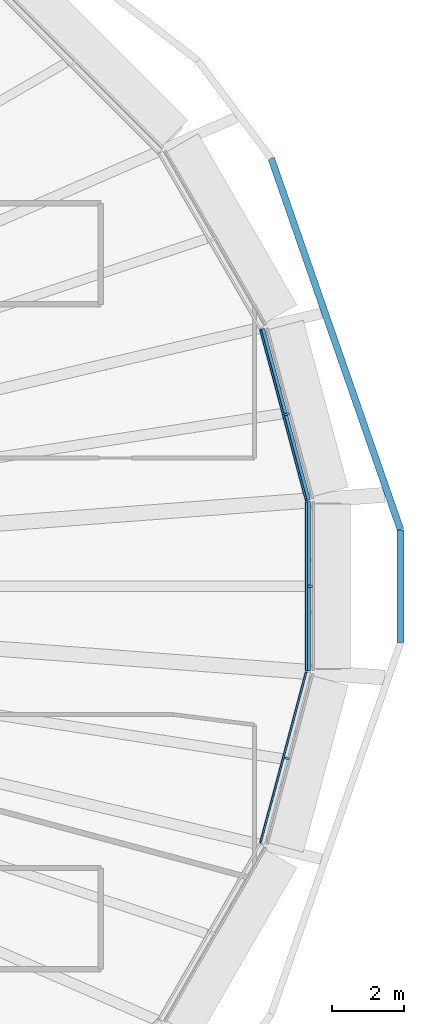
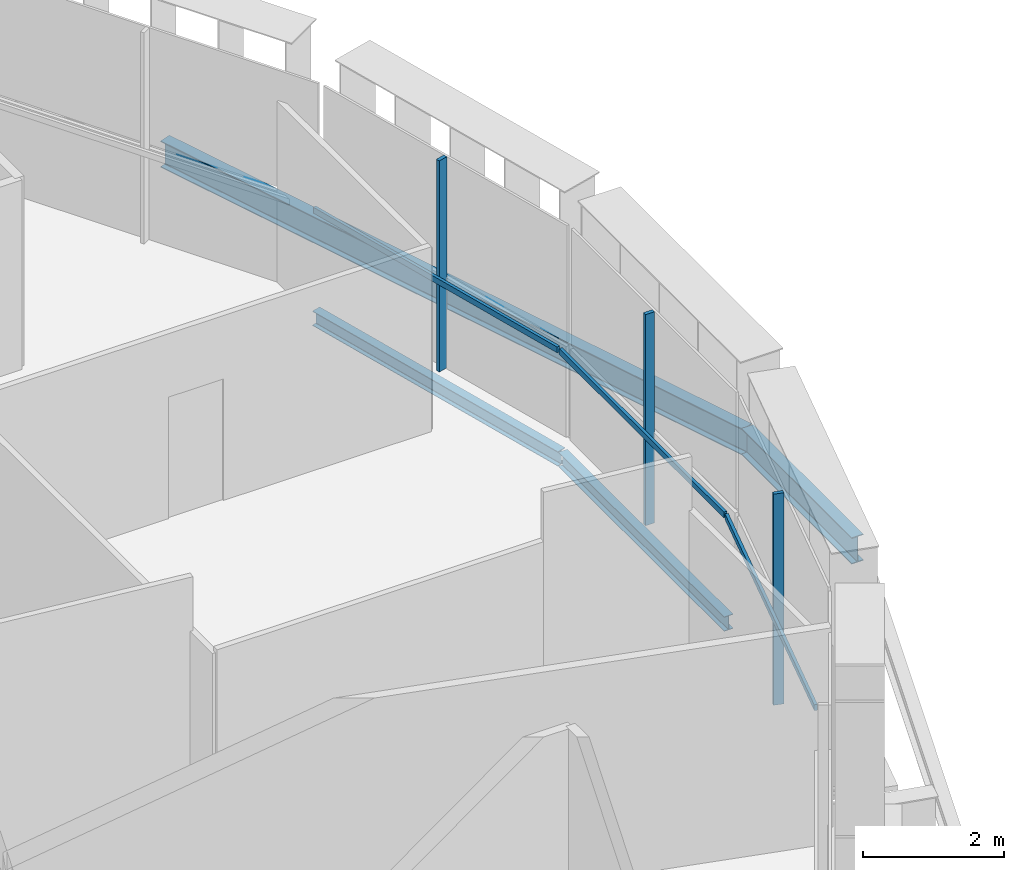
# One storey, part 11 of 24: 6 members, 4 beams, 3 elements without a shape of their own.
"""IFC4 building model written with IfcOpenShell, lengths in metres."""

import ifcopenshell
import ifcopenshell.guid

model = None  # the IFC model being written
_history = None  # IfcOwnerHistory: only IFC2X3 demands one
_inside = {}  # id of a spatial element -> (the spatial element, [elements in it])
_under = {}  # id of a project, library or spatial element -> (it, [spatial elements below it])
_declared = {}  # id of a project -> (the project, [libraries it declares])
_typed = {}  # id of a type object -> (the type object, [elements of that type])
_made_of = {}  # id of a material, layer set ... -> (it, [elements and type objects made of it])


def new_model(schema):
    """Start an empty IFC model of exactly this schema.

    Asked for "IFC4X3", IfcOpenShell would pick the latest addendum, in which some entities
    have other attributes; the version numbers below select the first issue.
    IFC2X3 requires an IfcOwnerHistory on every rooted entity: one is made here for all.
    """
    global model, _history
    if schema == "IFC4X3":
        model = ifcopenshell.file(schema_version=(4, 3, 0, 0))
    else:
        model = ifcopenshell.file(schema=schema)
    _inside.clear()
    _under.clear()
    _declared.clear()
    _typed.clear()
    _made_of.clear()
    _history = None
    if model.schema == "IFC2X3":
        org = make("IfcOrganization", Name="unknown")
        user = make(
            "IfcPersonAndOrganization",
            ThePerson=make("IfcPerson", FamilyName="unknown"),
            TheOrganization=org,
        )
        app = make(
            "IfcApplication",
            ApplicationDeveloper=org,
            Version="unknown",
            ApplicationFullName="unknown",
            ApplicationIdentifier="unknown",
        )
        _history = make(
            "IfcOwnerHistory",
            OwningUser=user,
            OwningApplication=app,
            ChangeAction="ADDED",
            CreationDate=0,
        )
    return model


def make(cls, **values):
    """One entity of the class cls with the attributes given. An attribute that is None is left unset."""
    return model.create_entity(
        cls, **{name: value for name, value in values.items() if value is not None}
    )


def rooted(cls, **values):
    """An entity with a GlobalId (a new one), such as an element, a storey or a relation."""
    return make(cls, GlobalId=ifcopenshell.guid.new(), OwnerHistory=_history, **values)


def si_unit(unit_type, name, prefix=None):
    """IfcSIUnit, for example si_unit("LENGTHUNIT", "METRE", prefix="MILLI")."""
    return make("IfcSIUnit", UnitType=unit_type, Prefix=prefix, Name=name)


def assignment(units):
    """IfcUnitAssignment: the units of a project."""
    return None if units is None else make("IfcUnitAssignment", Units=units)


def point(xyz):
    """IfcCartesianPoint."""
    return None if xyz is None else make("IfcCartesianPoint", Coordinates=xyz)


def direction(xyz):
    """IfcDirection."""
    return None if xyz is None else make("IfcDirection", DirectionRatios=xyz)


def frame(location, z_axis=None, x_axis=None):
    """IfcAxis2Placement3D, a coordinate frame: its origin and axes. An axis left out is left unset."""
    return make(
        "IfcAxis2Placement3D",
        Location=point(location),
        Axis=direction(z_axis),
        RefDirection=direction(x_axis),
    )


def frame_2d(location, x_axis=None):
    """IfcAxis2Placement2D, a coordinate frame in the plane: its origin and x axis."""
    return make(
        "IfcAxis2Placement2D", Location=point(location), RefDirection=direction(x_axis)
    )


def origin():
    """The frame at (0, 0, 0) with its axes left unset."""
    return frame((0.0, 0.0, 0.0))


def origin_2d():
    """The frame at (0, 0) in the plane with its x axis left unset."""
    return frame_2d((0.0, 0.0))


def place(relative_to, where):
    """IfcLocalPlacement: puts the frame where relative to a parent placement (None: the world)."""
    return make(
        "IfcLocalPlacement", PlacementRelTo=relative_to, RelativePlacement=where
    )


def context(
    kind, dimensions, precision=None, world=None, true_north=None, identifier=None
):
    """IfcGeometricRepresentationContext, for example the 3D "Model" context."""
    return make(
        "IfcGeometricRepresentationContext",
        ContextIdentifier=identifier,
        ContextType=kind,
        CoordinateSpaceDimension=dimensions,
        Precision=precision,
        WorldCoordinateSystem=world,
        TrueNorth=true_north,
    )


def subcontext(parent, identifier, kind, view, scale=None):
    """IfcGeometricRepresentationSubContext, for example "Body" below "Model"."""
    return make(
        "IfcGeometricRepresentationSubContext",
        ContextIdentifier=identifier,
        ContextType=kind,
        ParentContext=parent,
        TargetScale=scale,
        TargetView=view,
    )


def project(units=None, contexts=None):
    """IfcProject with its units and contexts."""
    return rooted(
        "IfcProject",
        Name="project",
        RepresentationContexts=contexts,
        UnitsInContext=assignment(units),
    )


def spatial(cls, under=None, at=None, **own):
    """A site, building, storey or space (cls), placed at a placement, below another one or the project."""
    s = rooted(cls, ObjectPlacement=at, **own)
    if under is not None:
        _under.setdefault(under.id(), (under, []))[1].append(s)
    return s


def profile(cls, at=None, kind="AREA", **sizes):
    """A parametric profile (cls). Its sizes go by their IFC names, for example OverallWidth=200.0."""
    return make(cls, ProfileType=kind, Position=at, **sizes)


def rectangle(**sizes):
    """IfcRectangleProfileDef."""
    return profile("IfcRectangleProfileDef", **sizes)


def i_section(**sizes):
    """IfcIShapeProfileDef."""
    return profile("IfcIShapeProfileDef", **sizes)


def extrude(swept, where, along, depth):
    """IfcExtrudedAreaSolid: the profile swept, set in the frame where, extruded along a direction by depth."""
    return make(
        "IfcExtrudedAreaSolid",
        SweptArea=swept,
        Position=where,
        ExtrudedDirection=direction(along),
        Depth=depth,
    )


def shape(context_of_items, identifier, shape_type, items):
    """IfcShapeRepresentation: the items that make up one representation, for example the "Body"."""
    return make(
        "IfcShapeRepresentation",
        ContextOfItems=context_of_items,
        RepresentationIdentifier=identifier,
        RepresentationType=shape_type,
        Items=items,
    )


def material(Name=None, Category=None):
    """IfcMaterial."""
    return make("IfcMaterial", Name=Name, Category=Category)


def layer(
    of_material, thickness, ventilated=None, Name=None, Category=None, Priority=None
):
    """IfcMaterialLayer: one layer of a wall or slab, of a material (None: an air gap)."""
    return make(
        "IfcMaterialLayer",
        Material=of_material,
        LayerThickness=thickness,
        IsVentilated=ventilated,
        Name=Name,
        Category=Category,
        Priority=Priority,
    )


def layer_set(layers, Name=None):
    """IfcMaterialLayerSet."""
    return make("IfcMaterialLayerSet", MaterialLayers=layers, LayerSetName=Name)


def material_profile(
    of_material, cross_section, Name=None, Category=None, Priority=None
):
    """IfcMaterialProfile: a cross section and its material."""
    return make(
        "IfcMaterialProfile",
        Name=Name,
        Material=of_material,
        Profile=cross_section,
        Priority=Priority,
        Category=Category,
    )


def profile_set(profiles, Name=None, composite=None):
    """IfcMaterialProfileSet."""
    return make(
        "IfcMaterialProfileSet",
        Name=Name,
        MaterialProfiles=profiles,
        CompositeProfile=composite,
    )


def made_of(thing, what):
    """Note that an element or type object is made of a material, layer set ...; save() writes the relation."""
    if what is not None:
        _made_of.setdefault(what.id(), (what, []))[1].append(thing)
    return thing


def type_object(cls, material=None, **own):
    """A type object (cls), such as IfcWallType, which elements share."""
    return made_of(rooted(cls, **own), material)


def element(
    cls,
    number,
    at=None,
    inside=None,
    cuts=None,
    type_object=None,
    material=None,
    context=None,
    identifier="Body",
    shape_type=None,
    held_by="IfcProductDefinitionShape",
    body=None,
    shapes=None,
    **own,
):
    """One element of the class cls, such as IfcWall. Its Tag is "e" and its number.

    at: its placement. inside: the storey or other place that contains it. cuts: it is an
    opening in that element (IfcRelVoidsElement). A single representation is given by context,
    identifier, shape_type and body (its items); several are given by shapes. held_by: the class
    of the entity that holds the representations. save() writes the other relations.
    """
    e = rooted(cls, Tag="e%d" % number, ObjectPlacement=at, **own)
    if body is not None:
        shapes = [shape(context, identifier, shape_type, body)]
    if shapes is not None:
        e.Representation = make(held_by, Representations=shapes)
    if inside is not None:
        _inside.setdefault(inside.id(), (inside, []))[1].append(e)
    if cuts is not None:
        rooted(
            "IfcRelVoidsElement", RelatingBuildingElement=cuts, RelatedOpeningElement=e
        )
    if type_object is not None:
        _typed.setdefault(type_object.id(), (type_object, []))[1].append(e)
    return made_of(e, material)


def aggregate(whole, parts):
    """IfcRelAggregates: a whole, such as a stair, and the parts it consists of."""
    return rooted("IfcRelAggregates", RelatingObject=whole, RelatedObjects=parts)


def save(model, path):
    """Write the relations noted so far, then the file.

    IfcRelAggregates (storeys below a building ...), IfcRelContainedInSpatialStructure (elements
    in a storey), IfcRelDefinesByType, IfcRelAssociatesMaterial and IfcRelDeclares: one each for
    every whole, place, type object, material and project.
    """
    for whole, parts in _under.values():
        aggregate(whole, parts)
    for where, things in _inside.values():
        rooted(
            "IfcRelContainedInSpatialStructure",
            RelatedElements=things,
            RelatingStructure=where,
        )
    for kind, things in _typed.values():
        rooted("IfcRelDefinesByType", RelatedObjects=things, RelatingType=kind)
    for what, things in _made_of.values():
        rooted("IfcRelAssociatesMaterial", RelatedObjects=things, RelatingMaterial=what)
    for by, libraries in _declared.values():
        rooted("IfcRelDeclares", RelatingContext=by, RelatedDefinitions=libraries)
    model.write(path)


model = new_model("IFC4")

# Units and contexts
model_context = context("Model", 3, precision=1e-05, world=origin(), true_north=direction((0.0, 1.0)))
body_context = subcontext(model_context, "Body", "Model", "MODEL_VIEW")
ifc_project = project(units=[si_unit("LENGTHUNIT", "METRE"), si_unit("AREAUNIT", "SQUARE_METRE"), si_unit("VOLUMEUNIT", "CUBIC_METRE"), si_unit("PLANEANGLEUNIT", "RADIAN"), si_unit("MASSUNIT", "GRAM", prefix="KILO")], contexts=[model_context])

# Site, building, storey
site_placement = place(None, origin())
site = spatial("IfcSite", under=ifc_project, at=site_placement, CompositionType="ELEMENT")
building_placement = place(site_placement, origin())
building = spatial("IfcBuilding", under=site, at=building_placement, Name="Sahrelin Media Tower", CompositionType="ELEMENT")
storey_placement = place(building_placement, frame((0.0, 0.0, 118.800048828125)))
storey = spatial("IfcBuildingStorey", under=building, at=storey_placement, Name="L23", CompositionType="ELEMENT", Elevation=118.800048828125)

# Beams
ifc_material_1 = material(Name="Steel S355", Category="steel")
ifc_material_profile_1 = material_profile(ifc_material_1, i_section(OverallWidth=0.14599609375, OverallDepth=0.25146484375, WebThickness=0.006103515625, FlangeThickness=0.008544921875, FilletRadius=0.007568359375, at=origin_2d()), Name="UB 254x146x31")
ifc_profile_set_1 = profile_set([ifc_material_profile_1], Name="Steel S355")
beam_type_1 = type_object("IfcBeamType", Name="Edge beam EB1", PredefinedType="BEAM", material=ifc_profile_set_1)
beam_1_placement = place(storey_placement, frame((31.731689453125, 2.347900390625, -0.275634765625), z_axis=(0.0, -1.0, 0.0), x_axis=(1.0, 0.0, 0.0)))
element("IfcBeam", 1, at=beam_1_placement, inside=storey, type_object=beam_type_1, Name="Edge beam L23-01", PredefinedType="BEAM", context=body_context, shape_type="SweptSolid", body=[
    extrude(i_section(OverallWidth=0.14599609375, OverallDepth=0.25146484375, WebThickness=0.006103515625, FlangeThickness=0.008544921875, FilletRadius=0.007568359375, at=origin_2d()), origin(), (0.0, 0.0, 1.0), 4.69580078125),
])
beam_2_placement = place(storey_placement, frame((30.4560546875, 7.12353515625, -0.275634765625), z_axis=(0.258784922699, -0.965934968714, 0.0), x_axis=(0.965934968714, 0.258784922699, 0.0)))
element("IfcBeam", 2, at=beam_2_placement, inside=storey, type_object=beam_type_1, Name="Edge beam L23-24", PredefinedType="BEAM", context=body_context, shape_type="SweptSolid", body=[
    extrude(i_section(OverallWidth=0.14599609375, OverallDepth=0.25146484375, WebThickness=0.006103515625, FlangeThickness=0.008544921875, FilletRadius=0.007568359375, at=origin_2d()), origin(), (0.0, 0.0, 1.0), 4.914306640625),
])

# Curtain wall, member
ifc_material_2 = material(Name="Champagne anodised aluminium 6063-T6", Category="aluminium")
ifc_layer = layer(ifc_material_2, 0.14990234375)
ifc_layer_set = layer_set([ifc_layer], Name="Tower ribbon curtain wall")
curtain_wall_type = type_object("IfcCurtainWallType", Name="Tower ribbon curtain wall", PredefinedType="NOTDEFINED", material=ifc_layer_set)
curtain_wall_1_placement = place(storey_placement, frame((31.881591796875, 0.0, 0.0), z_axis=(0.0, 0.0, 1.0), x_axis=(1.0, 0.0, 0.0)))
curtain_wall_1 = element("IfcCurtainWall", 3, at=curtain_wall_1_placement, inside=storey, type_object=curtain_wall_type, Name="L23:CW:L23-00", PredefinedType="NOTDEFINED")
ifc_material_profile_2 = material_profile(ifc_material_2, rectangle(XDim=0.06005859375, YDim=0.14990234375, at=origin_2d()), Name="Mullion 60x150")
ifc_profile_set_2 = profile_set([ifc_material_profile_2], Name="Champagne anodised aluminium 6063-T6")
member_type_1 = type_object("IfcMemberType", Name="Mullion 60x150 CW1", PredefinedType="MULLION", material=ifc_profile_set_2)
member_1_placement = place(storey_placement, frame((31.78662109375, 0.0, 0.0), z_axis=(0.0, 0.0, 1.0), x_axis=(0.0, 1.0, 0.0)))
member_1 = element("IfcMember", 4, at=member_1_placement, type_object=member_type_1, Name="L23:CWM:L23-00", PredefinedType="MULLION", context=body_context, shape_type="SweptSolid", body=[
    extrude(rectangle(XDim=0.06005859375, YDim=0.14990234375, at=origin_2d()), origin(), (0.0, 0.0, 1.0), 3.6484375),
])

curtain_wall_2_placement = place(storey_placement, frame((31.23681640625, 4.788818359375, 0.0), z_axis=(0.0, 0.0, 1.0), x_axis=(1.0, 0.0, 0.0)))
curtain_wall_2 = element("IfcCurtainWall", 5, at=curtain_wall_2_placement, inside=storey, type_object=curtain_wall_type, Name="L23:CW:L23-01", PredefinedType="NOTDEFINED")
member_2_placement = place(storey_placement, frame((31.14501953125, 4.764404296875, 0.0), z_axis=(0.0, 0.0, 1.0), x_axis=(-0.258820730961, 0.965925374563, 0.0)))
member_2 = element("IfcMember", 6, at=member_2_placement, type_object=member_type_1, Name="L23:CWM:L23-01", PredefinedType="MULLION", context=body_context, shape_type="SweptSolid", body=[
    extrude(rectangle(XDim=0.06005859375, YDim=0.14990234375, at=origin_2d()), origin(), (0.0, 0.0, 1.0), 3.6484375),
])

curtain_wall_3_placement = place(storey_placement, frame((31.23681640625, -4.788818359375, 0.0), z_axis=(0.0, 0.0, 1.0), x_axis=(1.0, 0.0, 0.0)))
curtain_wall_3 = element("IfcCurtainWall", 7, at=curtain_wall_3_placement, inside=storey, type_object=curtain_wall_type, Name="L23:CW:L23-23", PredefinedType="NOTDEFINED")
member_3_placement = place(storey_placement, frame((31.14501953125, -4.764404296875, 0.0), z_axis=(0.0, 0.0, 1.0), x_axis=(0.258820730961, 0.965925374563, 0.0)))
member_3 = element("IfcMember", 8, at=member_3_placement, type_object=member_type_1, Name="L23:CWM:L23-23", PredefinedType="MULLION", context=body_context, shape_type="SweptSolid", body=[
    extrude(rectangle(XDim=0.06005859375, YDim=0.14990234375, at=origin_2d()), origin(), (0.0, 0.0, 1.0), 3.6484375),
])

# Beams
ifc_material_profile_3 = material_profile(ifc_material_1, i_section(OverallWidth=0.1904296875, OverallDepth=0.45703125, WebThickness=0.009033203125, FlangeThickness=0.014404296875, FilletRadius=0.01025390625, at=origin_2d()), Name="UB 457x191x74")
ifc_profile_set_3 = profile_set([ifc_material_profile_3], Name="Steel S355")
beam_type_2 = type_object("IfcBeamType", Name="Tie chord TC5", PredefinedType="BEAM", material=ifc_profile_set_3)
beam_3_placement = place(storey_placement, frame((34.294189453125, 1.56103515625, -0.378662109375), z_axis=(-0.328796235536, 0.944400887069, 0.0), x_axis=(-0.944400887069, -0.328796235536, 0.0)))
element("IfcBeam", 9, at=beam_3_placement, inside=storey, type_object=beam_type_2, Name="Tie chord L23-01", PredefinedType="BEAM", context=body_context, shape_type="SweptSolid", body=[
    extrude(i_section(OverallWidth=0.1904296875, OverallDepth=0.45703125, WebThickness=0.009033203125, FlangeThickness=0.014404296875, FilletRadius=0.01025390625, at=origin_2d()), origin(), (0.0, 0.0, 1.0), 10.890625),
])
beam_4_placement = place(storey_placement, frame((34.294189453125, -1.56103515625, -0.378662109375), z_axis=(0.0, 1.0, 0.0), x_axis=(-1.0, 0.0, 0.0)))
element("IfcBeam", 10, at=beam_4_placement, inside=storey, type_object=beam_type_2, Name="Tie chord L23-24", PredefinedType="BEAM", context=body_context, shape_type="SweptSolid", body=[
    extrude(i_section(OverallWidth=0.1904296875, OverallDepth=0.45703125, WebThickness=0.009033203125, FlangeThickness=0.014404296875, FilletRadius=0.01025390625, at=origin_2d()), origin(), (0.0, 0.0, 1.0), 3.1220703125),
])

# Member
ifc_material_profile_4 = material_profile(ifc_material_2, rectangle(XDim=0.050048828125, YDim=0.10009765625, at=origin_2d()), Name="Transom 50x100")
ifc_profile_set_4 = profile_set([ifc_material_profile_4], Name="Champagne anodised aluminium 6063-T6")
member_type_2 = type_object("IfcMemberType", Name="Transom 50x100 CW1", PredefinedType="USERDEFINED", material=ifc_profile_set_4)
member_4_placement = place(storey_placement, frame((31.686767578125, -2.332275390625, 1.599853515625), z_axis=(0.0, 1.0, 0.0), x_axis=(-1.0, 0.0, 0.0)))
member_4 = element("IfcMember", 11, at=member_4_placement, type_object=member_type_2, Name="L23:CWT:L23-00", ObjectType="TRANSOM", PredefinedType="USERDEFINED", context=body_context, shape_type="SweptSolid", body=[
    extrude(rectangle(XDim=0.050048828125, YDim=0.10009765625, at=origin_2d()), origin(), (0.0, 0.0, 1.0), 4.66455078125),
])

aggregate(curtain_wall_1, [member_1, member_4])

member_5_placement = place(storey_placement, frame((31.680419921875, 2.380126953125, 1.599853515625), z_axis=(-0.258841882199, 0.965919706818, 0.0), x_axis=(-0.965919706818, -0.258841882199, 0.0)))
member_5 = element("IfcMember", 12, at=member_5_placement, type_object=member_type_2, Name="L23:CWT:L23-01", ObjectType="TRANSOM", PredefinedType="USERDEFINED", context=body_context, shape_type="SweptSolid", body=[
    extrude(rectangle(XDim=0.050048828125, YDim=0.10009765625, at=origin_2d()), origin(), (0.0, 0.0, 1.0), 4.883056640625),
])

aggregate(curtain_wall_2, [member_2, member_5])

member_6_placement = place(storey_placement, frame((30.41650390625, -7.0966796875, 1.599853515625), z_axis=(0.258841882199, 0.965919706818, 0.0), x_axis=(-0.965919706818, 0.258841882199, 0.0)))
member_6 = element("IfcMember", 13, at=member_6_placement, type_object=member_type_2, Name="L23:CWT:L23-23", ObjectType="TRANSOM", PredefinedType="USERDEFINED", context=body_context, shape_type="SweptSolid", body=[
    extrude(rectangle(XDim=0.050048828125, YDim=0.10009765625, at=origin_2d()), origin(), (0.0, 0.0, 1.0), 4.883056640625),
])

aggregate(curtain_wall_3, [member_3, member_6])

save(model, "model.ifc")
